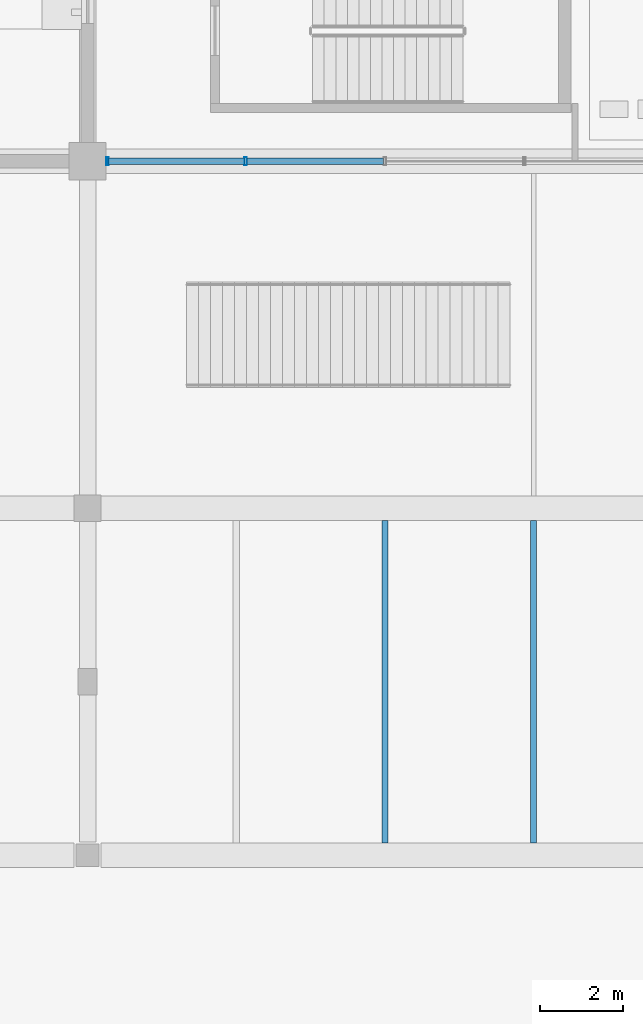
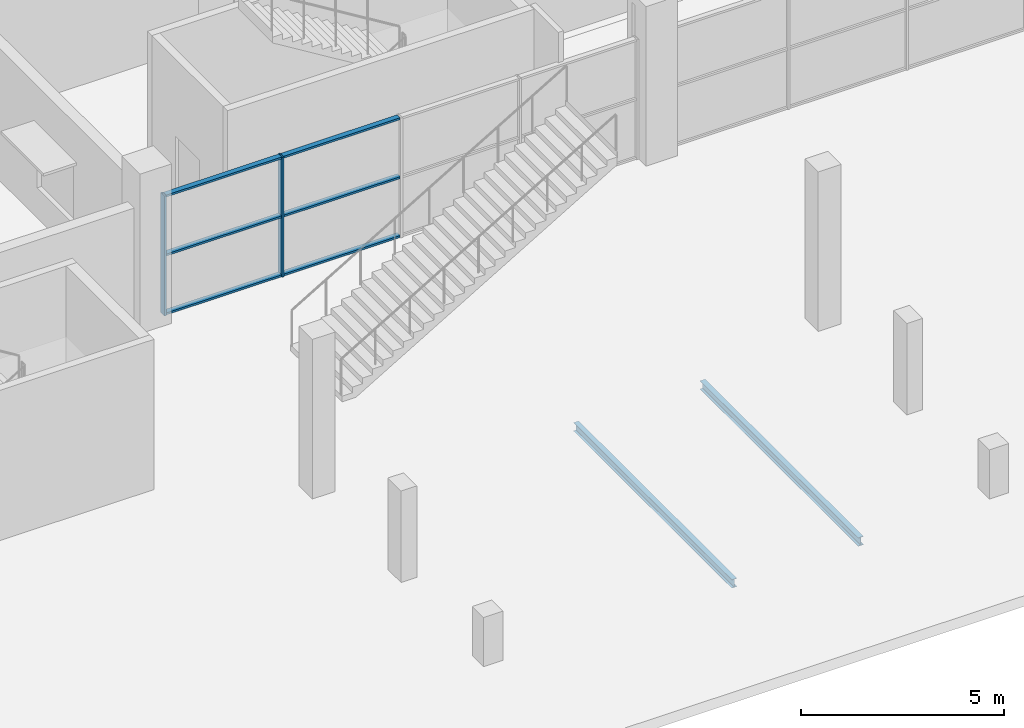
# One storey, part 40 of 130: 8 members, 2 beams, 1 element without a shape of its own.
"""IFC4 building model written with IfcOpenShell, lengths in metres."""

from ifc_helpers import new_model, si_unit, direction, frame, origin, origin_2d, place, context, subcontext, project, spatial, hollow_rectangle, i_section, extrude, material, material_profile, profile_set, type_object, element, aggregate, save


model = new_model("IFC4")

# Units and contexts
model_context = context("Model", 3, precision=1e-05, world=origin(), true_north=direction((0.0, 1.0)))
body_context = subcontext(model_context, "Body", "Model", "MODEL_VIEW")
ifc_project = project(units=[si_unit("LENGTHUNIT", "METRE"), si_unit("AREAUNIT", "SQUARE_METRE"), si_unit("VOLUMEUNIT", "CUBIC_METRE"), si_unit("PLANEANGLEUNIT", "RADIAN"), si_unit("MASSUNIT", "GRAM", prefix="KILO"), si_unit("THERMODYNAMICTEMPERATUREUNIT", "KELVIN")], contexts=[model_context])

# Site, building, storey
site_placement = place(None, origin())
site = spatial("IfcSite", under=ifc_project, at=site_placement, CompositionType="ELEMENT")
building_placement = place(site_placement, origin())
building = spatial("IfcBuilding", under=site, at=building_placement, Name="Nduvali Passage Aquatics Centre", CompositionType="ELEMENT")
storey_placement = place(building_placement, origin())
storey = spatial("IfcBuildingStorey", under=building, at=storey_placement, Name="L00", CompositionType="ELEMENT", Elevation=0.0)

# Curtain wall, members
ifc_material_1 = material(Name="Aluminium EN AW-6063 T6", Category="aluminium")
curtain_wall_type = type_object("IfcCurtainWallType", Name="ENV-CW-HALL", PredefinedType="NOTDEFINED", material=ifc_material_1)
curtain_wall_placement = place(storey_placement, origin())
curtain_wall = element("IfcCurtainWall", 1, at=curtain_wall_placement, inside=storey, type_object=curtain_wall_type, Name="L00 North Pool Hall Hydro-Pool Screen 057", PredefinedType="NOTDEFINED")
ifc_material_profile_1 = material_profile(ifc_material_1, hollow_rectangle(XDim=0.06005859375, YDim=0.199951171875, WallThickness=0.00390625, at=origin_2d()), Name="ALU MULLION 60x200x4")
ifc_profile_set_1 = profile_set([ifc_material_profile_1], Name="Aluminium EN AW-6063 T6")
member_type_1 = type_object("IfcMemberType", Name="ENV-MEM-MUL80", PredefinedType="MULLION", material=ifc_profile_set_1)
member_1_placement = place(storey_placement, frame((40.080078125, 92.39990234375, 0.0), z_axis=(0.0, 0.0, 1.0), x_axis=(1.0, 0.0, 0.0)))
member_1 = element("IfcMember", 2, at=member_1_placement, type_object=member_type_1, Name="North Pool Hall Hydro-Pool Screen Mullion 1", PredefinedType="MULLION", context=body_context, shape_type="SweptSolid", body=[
    extrude(hollow_rectangle(XDim=0.06005859375, YDim=0.199951171875, WallThickness=0.00390625, at=origin_2d()), origin(), (0.0, 0.0, 1.0), 3.605712890625),
])
member_2_placement = place(storey_placement, frame((43.425048828125, 92.39990234375, 0.0), z_axis=(0.0, 0.0, 1.0), x_axis=(1.0, 0.0, 0.0)))
member_2 = element("IfcMember", 3, at=member_2_placement, type_object=member_type_1, Name="North Pool Hall Hydro-Pool Screen Mullion 2", PredefinedType="MULLION", context=body_context, shape_type="SweptSolid", body=[
    extrude(hollow_rectangle(XDim=0.06005859375, YDim=0.199951171875, WallThickness=0.00390625, at=origin_2d()), origin(), (0.0, 0.0, 1.0), 3.605712890625),
])
ifc_material_profile_2 = material_profile(ifc_material_1, hollow_rectangle(XDim=0.14990234375, YDim=0.06005859375, WallThickness=0.00390625, at=origin_2d()), Name="ALU TRANSOM 150x60x4")
ifc_profile_set_2 = profile_set([ifc_material_profile_2], Name="Aluminium EN AW-6063 T6")
member_type_2 = type_object("IfcMemberType", Name="ENV-MEM-TRN80", PredefinedType="USERDEFINED", material=ifc_profile_set_2)
member_3_placement = place(storey_placement, frame((40.110107421875, 92.39990234375, 0.030029296875), z_axis=(1.0, 0.0, 0.0), x_axis=(0.0, 1.0, 0.0)))
member_3 = element("IfcMember", 4, at=member_3_placement, type_object=member_type_2, Name="North Pool Hall Hydro-Pool Screen Transom B1-R0", ObjectType="TRANSOM", PredefinedType="USERDEFINED", context=body_context, shape_type="SweptSolid", body=[
    extrude(hollow_rectangle(XDim=0.14990234375, YDim=0.06005859375, WallThickness=0.00390625, at=origin_2d()), origin(), (0.0, 0.0, 1.0), 3.284912109375),
])
member_4_placement = place(storey_placement, frame((40.110107421875, 92.39990234375, 1.802734375), z_axis=(1.0, 0.0, 0.0), x_axis=(0.0, 1.0, 0.0)))
member_4 = element("IfcMember", 5, at=member_4_placement, type_object=member_type_2, Name="North Pool Hall Hydro-Pool Screen Transom B1-R1", ObjectType="TRANSOM", PredefinedType="USERDEFINED", context=body_context, shape_type="SweptSolid", body=[
    extrude(hollow_rectangle(XDim=0.14990234375, YDim=0.06005859375, WallThickness=0.00390625, at=origin_2d()), origin(), (0.0, 0.0, 1.0), 3.284912109375),
])
member_5_placement = place(storey_placement, frame((40.110107421875, 92.39990234375, 3.57568359375), z_axis=(1.0, 0.0, 0.0), x_axis=(0.0, 1.0, 0.0)))
member_5 = element("IfcMember", 6, at=member_5_placement, type_object=member_type_2, Name="North Pool Hall Hydro-Pool Screen Transom B1-R2", ObjectType="TRANSOM", PredefinedType="USERDEFINED", context=body_context, shape_type="SweptSolid", body=[
    extrude(hollow_rectangle(XDim=0.14990234375, YDim=0.06005859375, WallThickness=0.00390625, at=origin_2d()), origin(), (0.0, 0.0, 1.0), 3.284912109375),
])
member_6_placement = place(storey_placement, frame((43.455078125, 92.39990234375, 0.030029296875), z_axis=(1.0, 0.0, 0.0), x_axis=(0.0, 1.0, 0.0)))
member_6 = element("IfcMember", 7, at=member_6_placement, type_object=member_type_2, Name="North Pool Hall Hydro-Pool Screen Transom B2-R0", ObjectType="TRANSOM", PredefinedType="USERDEFINED", context=body_context, shape_type="SweptSolid", body=[
    extrude(hollow_rectangle(XDim=0.14990234375, YDim=0.06005859375, WallThickness=0.00390625, at=origin_2d()), origin(), (0.0, 0.0, 1.0), 3.31494140625),
])
member_7_placement = place(storey_placement, frame((43.455078125, 92.39990234375, 1.802734375), z_axis=(1.0, 0.0, 0.0), x_axis=(0.0, 1.0, 0.0)))
member_7 = element("IfcMember", 8, at=member_7_placement, type_object=member_type_2, Name="North Pool Hall Hydro-Pool Screen Transom B2-R1", ObjectType="TRANSOM", PredefinedType="USERDEFINED", context=body_context, shape_type="SweptSolid", body=[
    extrude(hollow_rectangle(XDim=0.14990234375, YDim=0.06005859375, WallThickness=0.00390625, at=origin_2d()), origin(), (0.0, 0.0, 1.0), 3.31494140625),
])
member_8_placement = place(storey_placement, frame((43.455078125, 92.39990234375, 3.57568359375), z_axis=(1.0, 0.0, 0.0), x_axis=(0.0, 1.0, 0.0)))
member_8 = element("IfcMember", 9, at=member_8_placement, type_object=member_type_2, Name="North Pool Hall Hydro-Pool Screen Transom B2-R2", ObjectType="TRANSOM", PredefinedType="USERDEFINED", context=body_context, shape_type="SweptSolid", body=[
    extrude(hollow_rectangle(XDim=0.14990234375, YDim=0.06005859375, WallThickness=0.00390625, at=origin_2d()), origin(), (0.0, 0.0, 1.0), 3.31494140625),
])
aggregate(curtain_wall, [member_1, member_2, member_3, member_4, member_5, member_6, member_7, member_8])

# Beams
ifc_material_2 = material(Name="Steel S355", Category="steel")
ifc_material_profile_3 = material_profile(ifc_material_2, i_section(OverallWidth=0.146484375, OverallDepth=0.256103515625, WebThickness=0.00634765625, FlangeThickness=0.010986328125, FilletRadius=0.007568359375, at=origin_2d()), Name="UKB 254x146x37")
ifc_profile_set_3 = profile_set([ifc_material_profile_3], Name="Steel S355")
beam_type = type_object("IfcBeamType", Name="STR-JST-UKB254", PredefinedType="JOIST", material=ifc_profile_set_3)
for number, where, z_axis, x_axis, name in (
    (10, (46.800048828125, 75.89990234375, -0.451904296875), (0.0, 1.0, 0.0), (-1.0, 0.0, 0.0), "L00 Secondary Joist J4-0365"),
    (11, (50.39990234375, 75.89990234375, -0.451904296875), (0.0, 1.0, 0.0), (-1.0, 0.0, 0.0), "L00 Secondary Joist J4-0366"),
):
    element("IfcBeam", number, at=place(storey_placement, frame(where, z_axis=z_axis, x_axis=x_axis)), inside=storey, type_object=beam_type, Name=name, PredefinedType="JOIST", context=body_context, shape_type="SweptSolid", body=[
        extrude(i_section(OverallWidth=0.146484375, OverallDepth=0.256103515625, WebThickness=0.00634765625, FlangeThickness=0.010986328125, FilletRadius=0.007568359375, at=origin_2d()), origin(), (0.0, 0.0, 1.0), 7.800048828125),
    ])

save(model, "model.ifc")
